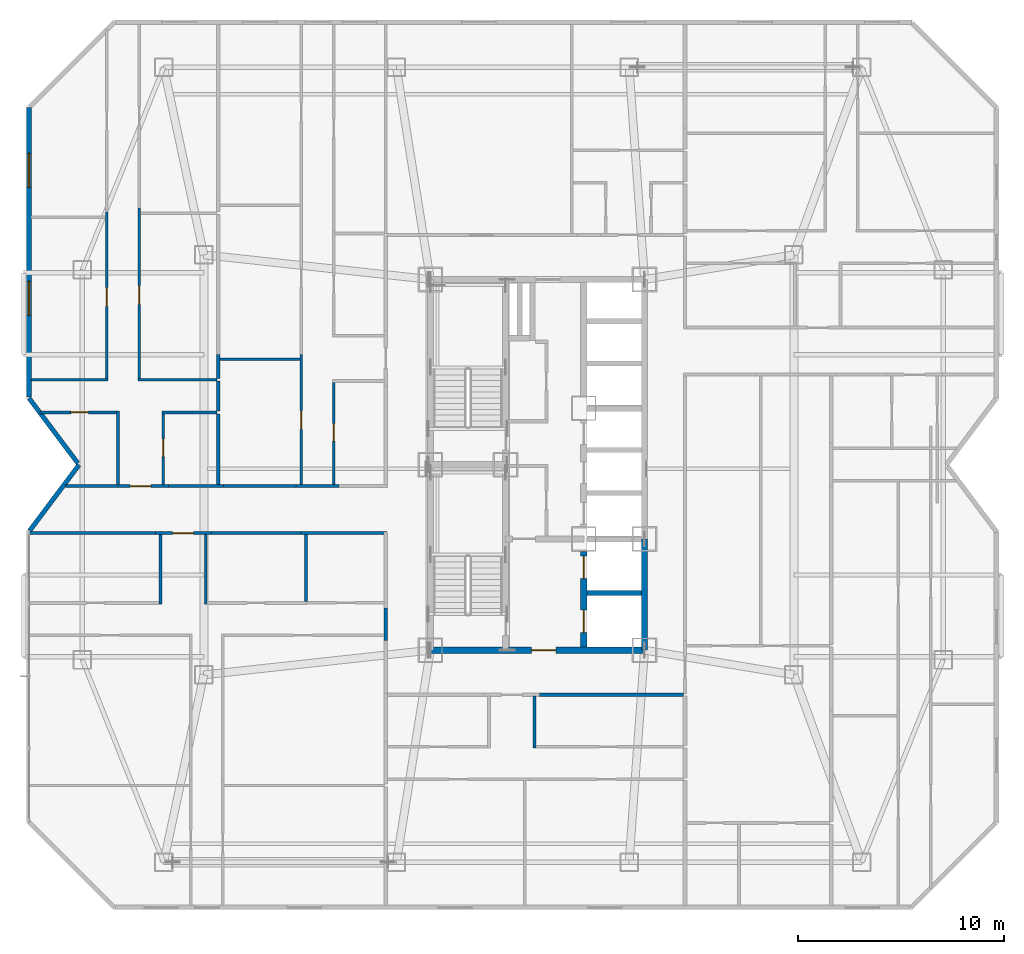
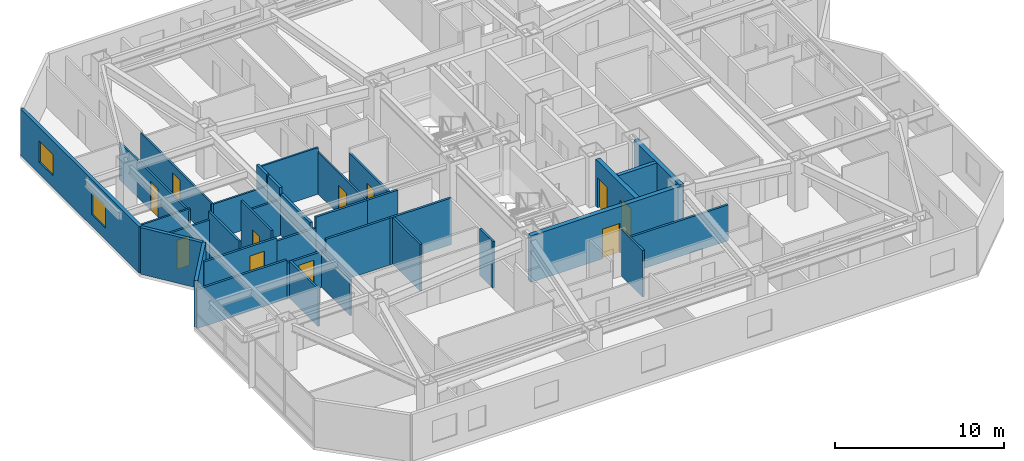
# One storey, part 12 of 17: 35 walls, 11 doors, 2 windows, 13 openings.
"""IFC4 building model written with IfcOpenShell, lengths in metres."""

from ifc_helpers import new_model, si_unit, direction, frame, frame_2d, origin, place, context, subcontext, project, spatial, rectangle, extrude, material, layer, layer_set, type_object, element, fill, save


model = new_model("IFC4")

# Units and contexts
model_context = context("Model", 3, precision=1e-05, world=origin(), true_north=direction((0.0, 1.0)))
body_context = subcontext(model_context, "Body", "Model", "MODEL_VIEW")
ifc_project = project(units=[si_unit("LENGTHUNIT", "METRE"), si_unit("AREAUNIT", "SQUARE_METRE"), si_unit("VOLUMEUNIT", "CUBIC_METRE"), si_unit("PLANEANGLEUNIT", "RADIAN"), si_unit("MASSUNIT", "GRAM", prefix="KILO")], contexts=[model_context])

# Site, building, storey
site_placement = place(None, origin())
site = spatial("IfcSite", under=ifc_project, at=site_placement, CompositionType="ELEMENT")
building_placement = place(site_placement, origin())
building = spatial("IfcBuilding", under=site, at=building_placement, Name="Khamvora Tower", CompositionType="ELEMENT")
storey_placement = place(building_placement, frame((0.0, 0.0, 142.050048828125)))
storey = spatial("IfcBuildingStorey", under=building, at=storey_placement, Name="L36", CompositionType="ELEMENT", Elevation=142.050048828125)

# Wall, opening, door
ifc_material_1 = material(Name="Concrete C50/60", Category="concrete")
ifc_layer_1 = layer(ifc_material_1, 0.300048828125)
ifc_layer_set_1 = layer_set([ifc_layer_1], Name="Concrete C50/60")
wall_type_1 = type_object("IfcWallType", Name="WAL-CORE-300", PredefinedType="SHEAR", material=ifc_layer_set_1)
wall_1_placement = place(storey_placement, frame((29.0, 19.0, 0.0), z_axis=(0.0, 0.0, 1.0), x_axis=(1.0, 0.0, 0.0)))
wall_1 = element("IfcWall", 1, at=wall_1_placement, inside=storey, type_object=wall_type_1, Name="L36 central core south wall", PredefinedType="SHEAR", context=body_context, shape_type="SweptSolid", body=[
    extrude(rectangle(XDim=10.39990234375, YDim=0.300048828125, at=frame_2d((5.199951171875, 0.0))), origin(), (0.0, 0.0, 1.0), 3.369873046875),
])
opening_1_placement = place(wall_1_placement, frame((4.89990234375, 0.0, 0.0)))
opening_1 = element("IfcOpeningElement", 2, at=opening_1_placement, cuts=wall_1, Name="Opening D-CR1", PredefinedType="OPENING", context=body_context, shape_type="SweptSolid", body=[
    extrude(rectangle(XDim=1.199951171875, YDim=2.14990234375, at=frame_2d((0.60009765625, 1.074951171875))), frame((0.0, 0.159912109375, 0.0), z_axis=(0.0, -1.0, 0.0), x_axis=(1.0, 0.0, 0.0)), (0.0, 0.0, 1.0), 0.320068359375),
])
ifc_material_2 = material(Name="Powder-Coated Steel and Hardwood Leaf", Category="steel")
door_type_1 = type_object("IfcDoorType", Name="DOR-CORR-1200", OperationType="NOTDEFINED", PredefinedType="DOOR", material=ifc_material_2)
door_1_placement = place(opening_1_placement, origin())
door_1 = element("IfcDoor", 3, at=door_1_placement, inside=storey, type_object=door_type_1, Name="L36 south core lobby to corridor fire door", OperationType="SINGLE_SWING_RIGHT", OverallHeight=2.14990234375, OverallWidth=1.199951171875, PredefinedType="DOOR", context=body_context, shape_type="SweptSolid", body=[
    extrude(rectangle(XDim=1.199951171875, YDim=2.14990234375, at=frame_2d((0.60009765625, 1.074951171875))), frame((0.0, 0.02490234375, 0.0), z_axis=(0.0, -1.0, 0.0), x_axis=(1.0, 0.0, 0.0)), (0.0, 0.0, 1.0), 0.050048828125),
])
fill(opening_1, door_1)

# Wall
wall_2_placement = place(storey_placement, frame((39.39990234375, 19.0, 0.0), z_axis=(0.0, 0.0, 1.0), x_axis=(0.0, 1.0, 0.0)))
element("IfcWall", 4, at=wall_2_placement, inside=storey, type_object=wall_type_1, Name="L36 central core east south wall", PredefinedType="SHEAR", context=body_context, shape_type="SweptSolid", body=[
    extrude(rectangle(XDim=5.39990234375, YDim=0.300048828125, at=frame_2d((2.699951171875, 0.0))), origin(), (0.0, 0.0, 1.0), 3.369873046875),
])

# Wall, openings, doors
wall_3_placement = place(storey_placement, frame((36.449951171875, 19.154052734375, 0.0), z_axis=(0.0, 0.0, 1.0), x_axis=(0.0, 1.0, 0.0)))
wall_3 = element("IfcWall", 5, at=wall_3_placement, inside=storey, type_object=wall_type_1, Name="L36 central core lift bank south wall", PredefinedType="SHEAR", context=body_context, shape_type="SweptSolid", body=[
    extrude(rectangle(XDim=4.64599609375, YDim=0.300048828125, at=frame_2d((2.322998046875, 0.0))), origin(), (0.0, 0.0, 1.0), 3.369873046875),
])
opening_2_placement = place(wall_3_placement, frame((0.696044921875, 0.0, 0.0)))
opening_2 = element("IfcOpeningElement", 6, at=opening_2_placement, cuts=wall_3, Name="Opening LD-FFL", PredefinedType="OPENING", context=body_context, shape_type="SweptSolid", body=[
    extrude(rectangle(XDim=1.10009765625, YDim=2.14990234375, at=frame_2d((0.550048828125, 1.074951171875))), frame((0.0, 0.159912109375, 0.0), z_axis=(0.0, -1.0, 0.0), x_axis=(1.0, 0.0, 0.0)), (0.0, 0.0, 1.0), 0.320068359375),
])
opening_3_placement = place(wall_3_placement, frame((3.31591796875, 0.0, 0.0)))
opening_3 = element("IfcOpeningElement", 7, at=opening_3_placement, cuts=wall_3, Name="Opening LD-FFL", PredefinedType="OPENING", context=body_context, shape_type="SweptSolid", body=[
    extrude(rectangle(XDim=1.10009765625, YDim=2.14990234375, at=frame_2d((0.550048828125, 1.074951171875))), frame((0.0, 0.159912109375, 0.0), z_axis=(0.0, -1.0, 0.0), x_axis=(1.0, 0.0, 0.0)), (0.0, 0.0, 1.0), 0.320068359375),
])
door_type_2 = type_object("IfcDoorType", Name="DOR-LIFT-1100", OperationType="SLIDING_TO_LEFT", PredefinedType="DOOR", material=ifc_material_2)
door_2_placement = place(opening_2_placement, origin())
door_2 = element("IfcDoor", 8, at=door_2_placement, inside=storey, type_object=door_type_2, Name="L36 lift landing sliding door FFL-01", OperationType="SLIDING_TO_LEFT", OverallHeight=2.14990234375, OverallWidth=1.10009765625, PredefinedType="DOOR", context=body_context, shape_type="SweptSolid", body=[
    extrude(rectangle(XDim=1.10009765625, YDim=2.14990234375, at=frame_2d((0.550048828125, 1.074951171875))), frame((0.0, 0.02490234375, 0.0), z_axis=(0.0, -1.0, 0.0), x_axis=(1.0, 0.0, 0.0)), (0.0, 0.0, 1.0), 0.050048828125),
])
fill(opening_2, door_2)
door_3_placement = place(opening_3_placement, origin())
door_3 = element("IfcDoor", 9, at=door_3_placement, inside=storey, type_object=door_type_2, Name="L36 lift landing sliding door FFL-02", OperationType="SLIDING_TO_LEFT", OverallHeight=2.14990234375, OverallWidth=1.10009765625, PredefinedType="DOOR", context=body_context, shape_type="SweptSolid", body=[
    extrude(rectangle(XDim=1.10009765625, YDim=2.14990234375, at=frame_2d((0.550048828125, 1.074951171875))), frame((0.0, 0.02490234375, 0.0), z_axis=(0.0, -1.0, 0.0), x_axis=(1.0, 0.0, 0.0)), (0.0, 0.0, 1.0), 0.050048828125),
])
fill(opening_3, door_3)

# Walls
ifc_material_3 = material(Name="Fire-Rated Drywall and Steel Stud", Category="steel")
ifc_layer_2 = layer(ifc_material_3, 0.14990234375)
ifc_layer_set_2 = layer_set([ifc_layer_2], Name="Fire-Rated Drywall and Steel Stud")
wall_type_2 = type_object("IfcWallType", Name="WAL-CORR-150", PredefinedType="STANDARD", material=ifc_layer_set_2)
wall_4_placement = place(storey_placement, frame((26.89794921875, 24.68505859375, 0.0), z_axis=(0.0, 0.0, 1.0), x_axis=(-1.0, 0.0, 0.0)))
element("IfcWall", 10, at=wall_4_placement, inside=storey, type_object=wall_type_2, Name="L36 interior partition wall 008", PredefinedType="STANDARD", context=body_context, shape_type="SweptSolid", body=[
    extrude(rectangle(XDim=4.19189453125, YDim=0.14990234375, at=frame_2d((2.095947265625, 0.0))), origin(), (0.0, 0.0, 1.0), 3.369873046875),
])
wall_5_placement = place(storey_placement, frame((26.8349609375, 19.466064453125, 0.0), z_axis=(0.0, 0.0, 1.0), x_axis=(0.0, 1.0, 0.0)))
element("IfcWall", 11, at=wall_5_placement, inside=storey, type_object=wall_type_2, Name="L36 interior partition wall 009", PredefinedType="STANDARD", context=body_context, shape_type="SweptSolid", body=[
    extrude(rectangle(XDim=1.579833984375, YDim=0.14990234375, at=frame_2d((0.7900390625, 0.0))), origin(), (0.0, 0.0, 1.0), 3.369873046875),
])

# Wall, opening, door
wall_6_placement = place(storey_placement, frame((18.339111328125, 24.68505859375, 0.0), z_axis=(0.0, 0.0, 1.0), x_axis=(-1.0, 0.0, 0.0)))
wall_6 = element("IfcWall", 12, at=wall_6_placement, inside=storey, type_object=wall_type_2, Name="L36 interior partition wall 010", PredefinedType="STANDARD", context=body_context, shape_type="SweptSolid", body=[
    extrude(rectangle(XDim=2.697998046875, YDim=0.14990234375, at=frame_2d((1.34912109375, 0.0))), origin(), (0.0, 0.0, 1.0), 2.5869140625),
])
opening_4_placement = place(wall_6_placement, frame((0.84912109375, 0.0, 0.0)))
opening_4 = element("IfcOpeningElement", 13, at=opening_4_placement, cuts=wall_6, Name="Opening D-U1", PredefinedType="OPENING", context=body_context, shape_type="SweptSolid", body=[
    extrude(rectangle(XDim=1.0, YDim=2.14990234375, at=frame_2d((0.5, 1.074951171875))), frame((0.0, 0.0849609375, 0.0), z_axis=(0.0, -1.0, 0.0), x_axis=(1.0, 0.0, 0.0)), (0.0, 0.0, 1.0), 0.169921875),
])
door_type_3 = type_object("IfcDoorType", Name="DOR-UNIT-1000", OperationType="NOTDEFINED", PredefinedType="DOOR", material=ifc_material_2)
door_4_placement = place(opening_4_placement, origin())
door_4 = element("IfcDoor", 14, at=door_4_placement, inside=storey, type_object=door_type_3, Name="L36 interior door COR-36WAH", OperationType="SINGLE_SWING_LEFT", OverallHeight=2.14990234375, OverallWidth=1.0, PredefinedType="DOOR", context=body_context, shape_type="SweptSolid", body=[
    extrude(rectangle(XDim=1.0, YDim=2.14990234375, at=frame_2d((0.5, 1.074951171875))), frame((0.0, 0.02490234375, 0.0), z_axis=(0.0, -1.0, 0.0), x_axis=(1.0, 0.0, 0.0)), (0.0, 0.0, 1.0), 0.050048828125),
])
fill(opening_4, door_4)

# Walls
wall_7_placement = place(storey_placement, frame((22.7060546875, 24.68505859375, 0.0), z_axis=(0.0, 0.0, 1.0), x_axis=(-1.0, 0.0, 0.0)))
element("IfcWall", 15, at=wall_7_placement, inside=storey, type_object=wall_type_2, Name="L36 interior partition wall 011", PredefinedType="STANDARD", context=body_context, shape_type="SweptSolid", body=[
    extrude(rectangle(XDim=4.366943359375, YDim=0.14990234375, at=frame_2d((2.18359375, 0.0))), origin(), (0.0, 0.0, 1.0), 3.369873046875),
])
wall_8_placement = place(storey_placement, frame((15.64111328125, 24.68505859375, 0.0), z_axis=(0.0, 0.0, 1.0), x_axis=(-1.0, 0.0, 0.0)))
element("IfcWall", 16, at=wall_8_placement, inside=storey, type_object=wall_type_2, Name="L36 interior partition wall 012", PredefinedType="STANDARD", context=body_context, shape_type="SweptSolid", body=[
    extrude(rectangle(XDim=6.131103515625, YDim=0.14990234375, at=frame_2d((3.0654296875, 0.0))), origin(), (0.0, 0.0, 1.0), 2.81591796875),
])

# Wall, opening, door
wall_9_placement = place(storey_placement, frame((11.2890625, 26.965087890625, 0.0), z_axis=(0.0, 0.0, 1.0), x_axis=(1.0, 0.0, 0.0)))
wall_9 = element("IfcWall", 17, at=wall_9_placement, inside=storey, type_object=wall_type_2, Name="L36 interior partition wall 014", PredefinedType="STANDARD", context=body_context, shape_type="SweptSolid", body=[
    extrude(rectangle(XDim=4.98486328125, YDim=0.14990234375, at=frame_2d((2.492431640625, 0.0))), origin(), (0.0, 0.0, 1.0), 2.81591796875),
])
opening_5_placement = place(wall_9_placement, frame((3.135986328125, 0.0, 0.0)))
opening_5 = element("IfcOpeningElement", 18, at=opening_5_placement, cuts=wall_9, Name="Opening D-U1", PredefinedType="OPENING", context=body_context, shape_type="SweptSolid", body=[
    extrude(rectangle(XDim=1.0, YDim=2.14990234375, at=frame_2d((0.5, 1.074951171875))), frame((0.0, 0.0849609375, 0.0), z_axis=(0.0, -1.0, 0.0), x_axis=(1.0, 0.0, 0.0)), (0.0, 0.0, 1.0), 0.169921875),
])
door_5_placement = place(opening_5_placement, origin())
door_5 = element("IfcDoor", 19, at=door_5_placement, inside=storey, type_object=door_type_3, Name="L36 interior door COR-36WBH", OperationType="SINGLE_SWING_RIGHT", OverallHeight=2.14990234375, OverallWidth=1.0, PredefinedType="DOOR", context=body_context, shape_type="SweptSolid", body=[
    extrude(rectangle(XDim=1.0, YDim=2.14990234375, at=frame_2d((0.5, 1.074951171875))), frame((0.0, 0.02490234375, 0.0), z_axis=(0.0, -1.0, 0.0), x_axis=(1.0, 0.0, 0.0)), (0.0, 0.0, 1.0), 0.050048828125),
])
fill(opening_5, door_5)

# Walls
wall_10_placement = place(storey_placement, frame((16.27392578125, 26.965087890625, 0.0), z_axis=(0.0, 0.0, 1.0), x_axis=(1.0, 0.0, 0.0)))
element("IfcWall", 20, at=wall_10_placement, inside=storey, type_object=wall_type_2, Name="L36 interior partition wall 015", PredefinedType="STANDARD", context=body_context, shape_type="SweptSolid", body=[
    extrude(rectangle(XDim=2.68017578125, YDim=0.14990234375, at=frame_2d((1.340087890625, 0.0))), origin(), (0.0, 0.0, 1.0), 2.5869140625),
])
wall_11_placement = place(storey_placement, frame((22.47607421875, 26.965087890625, 0.0), z_axis=(0.0, 0.0, 1.0), x_axis=(1.0, 0.0, 0.0)))
element("IfcWall", 21, at=wall_11_placement, inside=storey, type_object=wall_type_2, Name="L36 interior partition wall 016", PredefinedType="STANDARD", context=body_context, shape_type="SweptSolid", body=[
    extrude(rectangle(XDim=2.077880859375, YDim=0.14990234375, at=frame_2d((1.0390625, 0.0))), origin(), (0.0, 0.0, 1.0), 3.369873046875),
])
wall_12_placement = place(storey_placement, frame((18.9541015625, 26.965087890625, 0.0), z_axis=(0.0, 0.0, 1.0), x_axis=(1.0, 0.0, 0.0)))
element("IfcWall", 22, at=wall_12_placement, inside=storey, type_object=wall_type_2, Name="L36 interior partition wall 021", PredefinedType="STANDARD", context=body_context, shape_type="SweptSolid", body=[
    extrude(rectangle(XDim=3.52197265625, YDim=0.14990234375, at=frame_2d((1.760986328125, 0.0))), origin(), (0.0, 0.0, 1.0), 3.369873046875),
])
wall_13_placement = place(storey_placement, frame((41.300048828125, 16.8349609375, 0.0), z_axis=(0.0, 0.0, 1.0), x_axis=(-1.0, 0.0, 0.0)))
element("IfcWall", 23, at=wall_13_placement, inside=storey, type_object=wall_type_2, Name="L36 interior partition wall 024", PredefinedType="STANDARD", context=body_context, shape_type="SweptSolid", body=[
    extrude(rectangle(XDim=7.0009765625, YDim=0.14990234375, at=frame_2d((3.50048828125, 0.0))), origin(), (0.0, 0.0, 1.0), 2.5869140625),
])
ifc_material_4 = material(Name="Acoustic Double-Stud Fire Wall", Category="gypsum")
ifc_layer_3 = layer(ifc_material_4, 0.179931640625)
ifc_layer_set_3 = layer_set([ifc_layer_3], Name="Acoustic Double-Stud Fire Wall")
wall_type_3 = type_object("IfcWallType", Name="WAL-CORR-180", PredefinedType="STANDARD", material=ifc_layer_set_3)
wall_14_placement = place(storey_placement, frame((18.705078125, 32.06005859375, 0.0), z_axis=(0.0, 0.0, 1.0), x_axis=(0.0, -1.0, 0.0)))
element("IfcWall", 24, at=wall_14_placement, inside=storey, type_object=wall_type_3, Name="L36 interior partition wall 071", PredefinedType="STANDARD", context=body_context, shape_type="SweptSolid", body=[
    extrude(rectangle(XDim=1.449951171875, YDim=0.179931640625, at=frame_2d((0.72509765625, 0.0))), origin(), (0.0, 0.0, 1.0), 3.369873046875),
])
wall_15_placement = place(storey_placement, frame((18.705078125, 30.47998046875, 0.0), z_axis=(0.0, 0.0, 1.0), x_axis=(0.0, -1.0, 0.0)))
element("IfcWall", 25, at=wall_15_placement, inside=storey, type_object=wall_type_3, Name="L36 interior partition wall 072", PredefinedType="STANDARD", context=body_context, shape_type="SweptSolid", body=[
    extrude(rectangle(XDim=3.449951171875, YDim=0.179931640625, at=frame_2d((1.72509765625, 0.0))), origin(), (0.0, 0.0, 1.0), 3.0048828125),
])
wall_16_placement = place(storey_placement, frame((18.705078125, 33.365966796875, 0.0), z_axis=(0.0, 0.0, 1.0), x_axis=(0.0, -1.0, 0.0)))
element("IfcWall", 26, at=wall_16_placement, inside=storey, type_object=wall_type_3, Name="L36 interior partition wall 075", PredefinedType="STANDARD", context=body_context, shape_type="SweptSolid", body=[
    extrude(rectangle(XDim=1.176025390625, YDim=0.179931640625, at=frame_2d((0.587890625, 0.0))), origin(), (0.0, 0.0, 1.0), 3.369873046875),
])
ifc_material_5 = material(Name="Precast concrete C40/50", Category="concrete")
ifc_layer_4 = layer(ifc_material_5, 0.219970703125)
ifc_layer_set_4 = layer_set([ifc_layer_4], Name="Precast concrete C40/50")
wall_type_4 = type_object("IfcWallType", Name="WAL-EXT-220", PredefinedType="STANDARD", material=ifc_layer_set_4)
wall_17_placement = place(storey_placement, frame((9.5439453125, 24.80810546875, 0.0), z_axis=(0.0, 0.0, 1.0), x_axis=(0.600019580308, 0.799985314394, 0.0)))
element("IfcWall", 27, at=wall_17_placement, inside=storey, type_object=wall_type_4, Name="L36 exterior facade wall 03.1", PredefinedType="STANDARD", context=body_context, shape_type="SweptSolid", body=[
    extrude(rectangle(XDim=3.989990234375, YDim=0.219970703125, at=frame_2d((1.9951171875, 0.0))), origin(), (0.0, 0.0, 1.0), 3.369873046875),
])
wall_18_placement = place(storey_placement, frame((11.881103515625, 28.076904296875, 0.0), z_axis=(0.0, 0.0, 1.0), x_axis=(-0.600158184825, 0.799881336942, 0.0)))
element("IfcWall", 28, at=wall_18_placement, inside=storey, type_object=wall_type_4, Name="L36 exterior facade wall 04.1", PredefinedType="STANDARD", context=body_context, shape_type="SweptSolid", body=[
    extrude(rectangle(XDim=3.95068359375, YDim=0.219970703125, at=frame_2d((1.975341796875, 0.0))), origin(), (0.0, 0.0, 1.0), 3.369873046875),
])

# Wall, openings, windows
wall_19_placement = place(storey_placement, frame((9.510009765625, 31.29296875, 0.0), z_axis=(0.0, 0.0, 1.0), x_axis=(0.0, 1.0, 0.0)))
wall_19 = element("IfcWall", 29, at=wall_19_placement, inside=storey, type_object=wall_type_4, Name="L36 exterior facade wall 05.1", PredefinedType="STANDARD", context=body_context, shape_type="SweptSolid", body=[
    extrude(rectangle(XDim=14.06103515625, YDim=0.219970703125, at=frame_2d((7.030517578125, 0.0))), origin(), (0.0, 0.0, 1.0), 3.369873046875),
])
opening_6_placement = place(wall_19_placement, frame((3.9599609375, 0.0, 0.85009765625)))
opening_6 = element("IfcOpeningElement", 30, at=opening_6_placement, cuts=wall_19, Name="Opening WN-06", PredefinedType="OPENING", context=body_context, shape_type="SweptSolid", body=[
    extrude(rectangle(XDim=1.64990234375, YDim=1.550048828125, at=frame_2d((0.824951171875, 0.77490234375))), frame((0.0, 0.119873046875, 0.0), z_axis=(0.0, -1.0, 0.0), x_axis=(1.0, 0.0, 0.0)), (0.0, 0.0, 1.0), 0.239990234375),
])
opening_7_placement = place(wall_19_placement, frame((10.181884765625, 0.0, 0.85009765625)))
opening_7 = element("IfcOpeningElement", 31, at=opening_7_placement, cuts=wall_19, Name="Opening WN-06", PredefinedType="OPENING", context=body_context, shape_type="SweptSolid", body=[
    extrude(rectangle(XDim=1.64990234375, YDim=1.550048828125, at=frame_2d((0.824951171875, 0.77490234375))), frame((0.0, 0.119873046875, 0.0), z_axis=(0.0, -1.0, 0.0), x_axis=(1.0, 0.0, 0.0)), (0.0, 0.0, 1.0), 0.239990234375),
])
ifc_material_6 = material(Name="Low-E Laminated Double Glazing", Category="glass")
window_type = type_object("IfcWindowType", Name="WIN-VIS-1650x1550", PartitioningType="SINGLE_PANEL", PredefinedType="WINDOW", material=ifc_material_6)
window_1_placement = place(opening_6_placement, origin())
window_1 = element("IfcWindow", 32, at=window_1_placement, inside=storey, type_object=window_type, Name="L36 vision window 05.1.01", OverallHeight=1.550048828125, OverallWidth=1.64990234375, PartitioningType="SINGLE_PANEL", PredefinedType="WINDOW", context=body_context, shape_type="SweptSolid", body=[
    extrude(rectangle(XDim=1.64990234375, YDim=1.550048828125, at=frame_2d((0.824951171875, 0.77490234375))), frame((0.0, 0.030029296875, 0.0), z_axis=(0.0, -1.0, 0.0), x_axis=(1.0, 0.0, 0.0)), (0.0, 0.0, 1.0), 0.06005859375),
])
fill(opening_6, window_1)
window_2_placement = place(opening_7_placement, origin())
window_2 = element("IfcWindow", 33, at=window_2_placement, inside=storey, type_object=window_type, Name="L36 vision window 05.1.02", OverallHeight=1.550048828125, OverallWidth=1.64990234375, PartitioningType="SINGLE_PANEL", PredefinedType="WINDOW", context=body_context, shape_type="SweptSolid", body=[
    extrude(rectangle(XDim=1.64990234375, YDim=1.550048828125, at=frame_2d((0.824951171875, 0.77490234375))), frame((0.0, 0.030029296875, 0.0), z_axis=(0.0, -1.0, 0.0), x_axis=(1.0, 0.0, 0.0)), (0.0, 0.0, 1.0), 0.06005859375),
])
fill(opening_7, window_2)

# Wall, opening, door
ifc_material_7 = material(Name="Gypsum Plasterboard Partition", Category="gypsum")
ifc_layer_5 = layer(ifc_material_7, 0.1201171875)
ifc_layer_set_5 = layer_set([ifc_layer_5], Name="Gypsum Plasterboard Partition")
wall_type_5 = type_object("IfcWallType", Name="WAL-PART-120", PredefinedType="PARTITIONING", material=ifc_layer_set_5)
wall_20_placement = place(storey_placement, frame((13.2900390625, 32.06005859375, 0.0), z_axis=(0.0, 0.0, 1.0), x_axis=(0.0, 1.0, 0.0)))
wall_20 = element("IfcWall", 34, at=wall_20_placement, inside=storey, type_object=wall_type_5, Name="L36 interior partition wall 065", PredefinedType="PARTITIONING", context=body_context, shape_type="SweptSolid", body=[
    extrude(rectangle(XDim=8.219970703125, YDim=0.1201171875, at=frame_2d((4.10986328125, 0.0))), origin(), (0.0, 0.0, 1.0), 2.68701171875),
])
opening_8_placement = place(wall_20_placement, frame((3.638916015625, 0.0, 0.0)))
opening_8 = element("IfcOpeningElement", 35, at=opening_8_placement, cuts=wall_20, Name="Opening D-RM1", PredefinedType="OPENING", context=body_context, shape_type="SweptSolid", body=[
    extrude(rectangle(XDim=0.89990234375, YDim=2.10009765625, at=frame_2d((0.449951171875, 1.050048828125))), frame((0.0, 0.070068359375, 0.0), z_axis=(0.0, -1.0, 0.0), x_axis=(1.0, 0.0, 0.0)), (0.0, 0.0, 1.0), 0.14013671875),
])
door_type_4 = type_object("IfcDoorType", Name="DOR-ROOM-900", OperationType="NOTDEFINED", PredefinedType="DOOR", material=ifc_material_2)
door_6_placement = place(opening_8_placement, origin())
door_6 = element("IfcDoor", 36, at=door_6_placement, inside=storey, type_object=door_type_4, Name="L36 interior door 36WBH-36WBL", OperationType="SINGLE_SWING_LEFT", OverallHeight=2.10009765625, OverallWidth=0.89990234375, PredefinedType="DOOR", context=body_context, shape_type="SweptSolid", body=[
    extrude(rectangle(XDim=0.89990234375, YDim=2.10009765625, at=frame_2d((0.449951171875, 1.050048828125))), frame((0.0, 0.02490234375, 0.0), z_axis=(0.0, -1.0, 0.0), x_axis=(1.0, 0.0, 0.0)), (0.0, 0.0, 1.0), 0.050048828125),
])
fill(opening_8, door_6)

# Wall
wall_21_placement = place(storey_placement, frame((9.612060546875, 32.125, 0.0), z_axis=(0.0, 0.0, 1.0), x_axis=(1.0, 0.0, 0.0)))
element("IfcWall", 37, at=wall_21_placement, inside=storey, type_object=wall_type_5, Name="L36 interior partition wall 066", PredefinedType="PARTITIONING", context=body_context, shape_type="SweptSolid", body=[
    extrude(rectangle(XDim=3.742919921875, YDim=0.1201171875, at=frame_2d((1.87158203125, 0.0))), origin(), (0.0, 0.0, 1.0), 2.81591796875),
])

# Wall, opening, door
wall_22_placement = place(storey_placement, frame((14.860107421875, 40.47509765625, 0.0), z_axis=(0.0, 0.0, 1.0), x_axis=(0.0, -1.0, 0.0)))
wall_22 = element("IfcWall", 38, at=wall_22_placement, inside=storey, type_object=wall_type_5, Name="L36 interior partition wall 068", PredefinedType="PARTITIONING", context=body_context, shape_type="SweptSolid", body=[
    extrude(rectangle(XDim=8.4150390625, YDim=0.1201171875, at=frame_2d((4.20751953125, 0.0))), origin(), (0.0, 0.0, 1.0), 2.68701171875),
])
opening_9_placement = place(wall_22_placement, frame((3.778076171875, 0.0, 0.0)))
opening_9 = element("IfcOpeningElement", 39, at=opening_9_placement, cuts=wall_22, Name="Opening D-RM1", PredefinedType="OPENING", context=body_context, shape_type="SweptSolid", body=[
    extrude(rectangle(XDim=0.89990234375, YDim=2.10009765625, at=frame_2d((0.449951171875, 1.050048828125))), frame((0.0, 0.070068359375, 0.0), z_axis=(0.0, -1.0, 0.0), x_axis=(1.0, 0.0, 0.0)), (0.0, 0.0, 1.0), 0.14013671875),
])
door_7_placement = place(opening_9_placement, origin())
door_7 = element("IfcDoor", 40, at=door_7_placement, inside=storey, type_object=door_type_4, Name="L36 interior door 36WBH-36WBR3", OperationType="SINGLE_SWING_RIGHT", OverallHeight=2.10009765625, OverallWidth=0.89990234375, PredefinedType="DOOR", context=body_context, shape_type="SweptSolid", body=[
    extrude(rectangle(XDim=0.89990234375, YDim=2.10009765625, at=frame_2d((0.449951171875, 1.050048828125))), frame((0.0, 0.02490234375, 0.0), z_axis=(0.0, -1.0, 0.0), x_axis=(1.0, 0.0, 0.0)), (0.0, 0.0, 1.0), 0.050048828125),
])
fill(opening_9, door_7)

# Wall
wall_23_placement = place(storey_placement, frame((14.794921875, 32.125, 0.0), z_axis=(0.0, 0.0, 1.0), x_axis=(1.0, 0.0, 0.0)))
element("IfcWall", 41, at=wall_23_placement, inside=storey, type_object=wall_type_5, Name="L36 interior partition wall 069", PredefinedType="PARTITIONING", context=body_context, shape_type="SweptSolid", body=[
    extrude(rectangle(XDim=3.844970703125, YDim=0.1201171875, at=frame_2d((1.92236328125, 0.0))), origin(), (0.0, 0.0, 1.0), 2.5869140625),
])

# Wall, opening, door
wall_24_placement = place(storey_placement, frame((22.72509765625, 27.030029296875, 0.0), z_axis=(0.0, 0.0, 1.0), x_axis=(0.0, 1.0, 0.0)))
wall_24 = element("IfcWall", 42, at=wall_24_placement, inside=storey, type_object=wall_type_5, Name="L36 interior partition wall 085", PredefinedType="PARTITIONING", context=body_context, shape_type="SweptSolid", body=[
    extrude(rectangle(XDim=6.3359375, YDim=0.1201171875, at=frame_2d((3.16796875, 0.0))), origin(), (0.0, 0.0, 1.0), 3.0048828125),
])
opening_10_placement = place(wall_24_placement, frame((2.697021484375, 0.0, 0.0)))
opening_10 = element("IfcOpeningElement", 43, at=opening_10_placement, cuts=wall_24, Name="Opening D-RM1", PredefinedType="OPENING", context=body_context, shape_type="SweptSolid", body=[
    extrude(rectangle(XDim=0.89990234375, YDim=2.10009765625, at=frame_2d((0.449951171875, 1.050048828125))), frame((0.0, 0.070068359375, 0.0), z_axis=(0.0, -1.0, 0.0), x_axis=(1.0, 0.0, 0.0)), (0.0, 0.0, 1.0), 0.14013671875),
])
door_8_placement = place(opening_10_placement, origin())
door_8 = element("IfcDoor", 44, at=door_8_placement, inside=storey, type_object=door_type_4, Name="L36 interior door 36WCH-36WCL", OperationType="SINGLE_SWING_LEFT", OverallHeight=2.10009765625, OverallWidth=0.89990234375, PredefinedType="DOOR", context=body_context, shape_type="SweptSolid", body=[
    extrude(rectangle(XDim=0.89990234375, YDim=2.10009765625, at=frame_2d((0.449951171875, 1.050048828125))), frame((0.0, 0.02490234375, 0.0), z_axis=(0.0, -1.0, 0.0), x_axis=(1.0, 0.0, 0.0)), (0.0, 0.0, 1.0), 0.050048828125),
])
fill(opening_10, door_8)

# Walls
wall_25_placement = place(storey_placement, frame((18.787109375, 33.116943359375, 0.0), z_axis=(0.0, 0.0, 1.0), x_axis=(1.0, 0.0, 0.0)))
element("IfcWall", 45, at=wall_25_placement, inside=storey, type_object=wall_type_5, Name="L36 interior partition wall 088", PredefinedType="PARTITIONING", context=body_context, shape_type="SweptSolid", body=[
    extrude(rectangle(XDim=3.8837890625, YDim=0.1201171875, at=frame_2d((1.94189453125, 0.0))), origin(), (0.0, 0.0, 1.0), 3.369873046875),
])
ifc_material_8 = material(Name="Concrete C40/50", Category="concrete")
ifc_layer_6 = layer(ifc_material_8, 0.25)
ifc_layer_set_6 = layer_set([ifc_layer_6], Name="Concrete C40/50")
wall_type_6 = type_object("IfcWallType", Name="WAL-PODS-250", PredefinedType="SHEAR", material=ifc_layer_set_6)
wall_26_placement = place(storey_placement, frame((36.60400390625, 21.77490234375, 0.0), z_axis=(0.0, 0.0, 1.0), x_axis=(1.0, 0.0, 0.0)))
element("IfcWall", 46, at=wall_26_placement, inside=storey, type_object=wall_type_6, Name="L36 lift shaft divider wall FFL-01", PredefinedType="SHEAR", context=body_context, shape_type="SweptSolid", body=[
    extrude(rectangle(XDim=2.64208984375, YDim=0.25, at=frame_2d((1.321044921875, 0.0))), origin(), (0.0, 0.0, 1.0), 3.369873046875),
])
ifc_material_9 = material(Name="Moisture-Resistant Plasterboard Partition", Category="gypsum")
ifc_layer_7 = layer(ifc_material_9, 0.135009765625)
ifc_layer_set_7 = layer_set([ifc_layer_7], Name="Moisture-Resistant Plasterboard Partition")
wall_type_7 = type_object("IfcWallType", Name="WAL-WET-135", PredefinedType="PARTITIONING", material=ifc_layer_set_7)
wall_27_placement = place(storey_placement, frame((22.955078125, 21.360107421875, 0.0), z_axis=(0.0, 0.0, 1.0), x_axis=(0.0, 1.0, 0.0)))
element("IfcWall", 47, at=wall_27_placement, inside=storey, type_object=wall_type_7, Name="L36 interior partition wall 045", PredefinedType="PARTITIONING", context=body_context, shape_type="SweptSolid", body=[
    extrude(rectangle(XDim=3.2578125, YDim=0.135009765625, at=frame_2d((1.62890625, 0.0))), origin(), (0.0, 0.0, 1.0), 3.369873046875),
])
wall_28_placement = place(storey_placement, frame((18.090087890625, 24.617919921875, 0.0), z_axis=(0.0, 0.0, 1.0), x_axis=(0.0, -1.0, 0.0)))
element("IfcWall", 48, at=wall_28_placement, inside=storey, type_object=wall_type_7, Name="L36 interior partition wall 046", PredefinedType="PARTITIONING", context=body_context, shape_type="SweptSolid", body=[
    extrude(rectangle(XDim=3.387939453125, YDim=0.135009765625, at=frame_2d((1.69384765625, 0.0))), origin(), (0.0, 0.0, 1.0), 2.5869140625),
])
wall_29_placement = place(storey_placement, frame((15.889892578125, 21.22998046875, 0.0), z_axis=(0.0, 0.0, 1.0), x_axis=(0.0, 1.0, 0.0)))
element("IfcWall", 49, at=wall_29_placement, inside=storey, type_object=wall_type_7, Name="L36 interior partition wall 049", PredefinedType="PARTITIONING", context=body_context, shape_type="SweptSolid", body=[
    extrude(rectangle(XDim=3.387939453125, YDim=0.135009765625, at=frame_2d((1.69384765625, 0.0))), origin(), (0.0, 0.0, 1.0), 2.68701171875),
])
wall_30_placement = place(storey_placement, frame((18.639892578125, 30.544921875, 0.0), z_axis=(0.0, 0.0, 1.0), x_axis=(-1.0, 0.0, 0.0)))
element("IfcWall", 50, at=wall_30_placement, inside=storey, type_object=wall_type_7, Name="L36 interior partition wall 061", PredefinedType="PARTITIONING", context=body_context, shape_type="SweptSolid", body=[
    extrude(rectangle(XDim=2.679931640625, YDim=0.135009765625, at=frame_2d((1.33984375, 0.0))), origin(), (0.0, 0.0, 1.0), 2.5869140625),
])

# Wall, opening, door
wall_31_placement = place(storey_placement, frame((16.02490234375, 30.610107421875, 0.0), z_axis=(0.0, 0.0, 1.0), x_axis=(0.0, -1.0, 0.0)))
wall_31 = element("IfcWall", 51, at=wall_31_placement, inside=storey, type_object=wall_type_7, Name="L36 interior partition wall 062", PredefinedType="PARTITIONING", context=body_context, shape_type="SweptSolid", body=[
    extrude(rectangle(XDim=3.580078125, YDim=0.135009765625, at=frame_2d((1.7900390625, 0.0))), origin(), (0.0, 0.0, 1.0), 3.369873046875),
])
opening_11_placement = place(wall_31_placement, frame((1.364990234375, 0.0, 0.0)))
opening_11 = element("IfcOpeningElement", 52, at=opening_11_placement, cuts=wall_31, Name="Opening D-WC1", PredefinedType="OPENING", context=body_context, shape_type="SweptSolid", body=[
    extrude(rectangle(XDim=0.85009765625, YDim=2.10009765625, at=frame_2d((0.425048828125, 1.050048828125))), frame((0.0, 0.077392578125, 0.0), z_axis=(0.0, -1.0, 0.0), x_axis=(1.0, 0.0, 0.0)), (0.0, 0.0, 1.0), 0.155029296875),
])
door_type_5 = type_object("IfcDoorType", Name="DOR-WET-850", OperationType="NOTDEFINED", PredefinedType="DOOR", material=ifc_material_2)
door_9_placement = place(opening_11_placement, origin())
door_9 = element("IfcDoor", 53, at=door_9_placement, inside=storey, type_object=door_type_5, Name="L36 interior door 36WBH-36WBB", OperationType="SINGLE_SWING_RIGHT", OverallHeight=2.10009765625, OverallWidth=0.85009765625, PredefinedType="DOOR", context=body_context, shape_type="SweptSolid", body=[
    extrude(rectangle(XDim=0.85009765625, YDim=2.10009765625, at=frame_2d((0.425048828125, 1.050048828125))), frame((0.0, 0.02490234375, 0.0), z_axis=(0.0, -1.0, 0.0), x_axis=(1.0, 0.0, 0.0)), (0.0, 0.0, 1.0), 0.050048828125),
])
fill(opening_11, door_9)

# Wall
wall_32_placement = place(storey_placement, frame((13.824951171875, 27.030029296875, 0.0), z_axis=(0.0, 0.0, 1.0), x_axis=(0.0, 1.0, 0.0)))
element("IfcWall", 54, at=wall_32_placement, inside=storey, type_object=wall_type_7, Name="L36 interior partition wall 063", PredefinedType="PARTITIONING", context=body_context, shape_type="SweptSolid", body=[
    extrude(rectangle(XDim=3.580078125, YDim=0.135009765625, at=frame_2d((1.7900390625, 0.0))), origin(), (0.0, 0.0, 1.0), 3.369873046875),
])

# Wall, opening, door
wall_33_placement = place(storey_placement, frame((13.889892578125, 30.544921875, 0.0), z_axis=(0.0, 0.0, 1.0), x_axis=(-1.0, 0.0, 0.0)))
wall_33 = element("IfcWall", 55, at=wall_33_placement, inside=storey, type_object=wall_type_7, Name="L36 interior partition wall 064", PredefinedType="PARTITIONING", context=body_context, shape_type="SweptSolid", body=[
    extrude(rectangle(XDim=3.846923828125, YDim=0.135009765625, at=frame_2d((1.92333984375, 0.0))), origin(), (0.0, 0.0, 1.0), 2.81591796875),
])
opening_12_placement = place(wall_33_placement, frame((1.498046875, 0.0, 0.0)))
opening_12 = element("IfcOpeningElement", 56, at=opening_12_placement, cuts=wall_33, Name="Opening D-RM2", PredefinedType="OPENING", context=body_context, shape_type="SweptSolid", body=[
    extrude(rectangle(XDim=0.85009765625, YDim=2.10009765625, at=frame_2d((0.425048828125, 1.050048828125))), frame((0.0, 0.077392578125, 0.0), z_axis=(0.0, -1.0, 0.0), x_axis=(1.0, 0.0, 0.0)), (0.0, 0.0, 1.0), 0.155029296875),
])
door_type_6 = type_object("IfcDoorType", Name="DOR-ROOM-850", OperationType="NOTDEFINED", PredefinedType="DOOR", material=ifc_material_2)
door_10_placement = place(opening_12_placement, origin())
door_10 = element("IfcDoor", 57, at=door_10_placement, inside=storey, type_object=door_type_6, Name="L36 interior door 36WBH-36WBK", OperationType="SINGLE_SWING_LEFT", OverallHeight=2.10009765625, OverallWidth=0.85009765625, PredefinedType="DOOR", context=body_context, shape_type="SweptSolid", body=[
    extrude(rectangle(XDim=0.85009765625, YDim=2.10009765625, at=frame_2d((0.425048828125, 1.050048828125))), frame((0.0, 0.02490234375, 0.0), z_axis=(0.0, -1.0, 0.0), x_axis=(1.0, 0.0, 0.0)), (0.0, 0.0, 1.0), 0.050048828125),
])
fill(opening_12, door_10)

wall_34_placement = place(storey_placement, frame((24.304931640625, 32.131103515625, 0.0), z_axis=(0.0, 0.0, 1.0), x_axis=(0.0, -1.0, 0.0)))
wall_34 = element("IfcWall", 58, at=wall_34_placement, inside=storey, type_object=wall_type_7, Name="L36 interior partition wall 084", PredefinedType="PARTITIONING", context=body_context, shape_type="SweptSolid", body=[
    extrude(rectangle(XDim=5.10107421875, YDim=0.135009765625, at=frame_2d((2.550537109375, 0.0))), origin(), (0.0, 0.0, 1.0), 3.0048828125),
])
opening_13_placement = place(wall_34_placement, frame((2.1259765625, 0.0, 0.0)))
opening_13 = element("IfcOpeningElement", 59, at=opening_13_placement, cuts=wall_34, Name="Opening D-RM2", PredefinedType="OPENING", context=body_context, shape_type="SweptSolid", body=[
    extrude(rectangle(XDim=0.85009765625, YDim=2.10009765625, at=frame_2d((0.425048828125, 1.050048828125))), frame((0.0, 0.077392578125, 0.0), z_axis=(0.0, -1.0, 0.0), x_axis=(1.0, 0.0, 0.0)), (0.0, 0.0, 1.0), 0.155029296875),
])
door_11_placement = place(opening_13_placement, origin())
door_11 = element("IfcDoor", 60, at=door_11_placement, inside=storey, type_object=door_type_6, Name="L36 interior door 36WCH-36WCK", OperationType="SINGLE_SWING_RIGHT", OverallHeight=2.10009765625, OverallWidth=0.85009765625, PredefinedType="DOOR", context=body_context, shape_type="SweptSolid", body=[
    extrude(rectangle(XDim=0.85009765625, YDim=2.10009765625, at=frame_2d((0.425048828125, 1.050048828125))), frame((0.0, 0.02490234375, 0.0), z_axis=(0.0, -1.0, 0.0), x_axis=(1.0, 0.0, 0.0)), (0.0, 0.0, 1.0), 0.050048828125),
])
fill(opening_13, door_11)

# Wall
wall_35_placement = place(storey_placement, frame((34.050048828125, 16.77001953125, 0.0), z_axis=(0.0, 0.0, 1.0), x_axis=(0.0, -1.0, 0.0)))
element("IfcWall", 61, at=wall_35_placement, inside=storey, type_object=wall_type_7, Name="L36 interior partition wall 092", PredefinedType="PARTITIONING", context=body_context, shape_type="SweptSolid", body=[
    extrude(rectangle(XDim=2.530029296875, YDim=0.135009765625, at=frame_2d((1.26513671875, 0.0))), origin(), (0.0, 0.0, 1.0), 3.369873046875),
])

save(model, "model.ifc")
